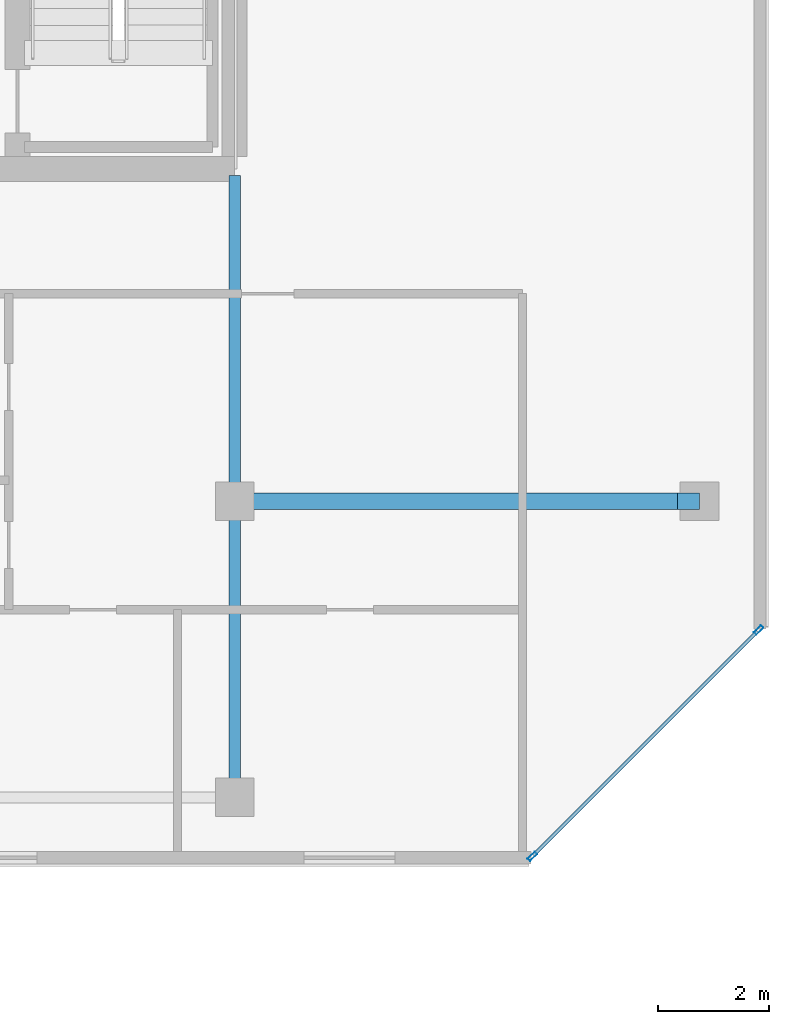
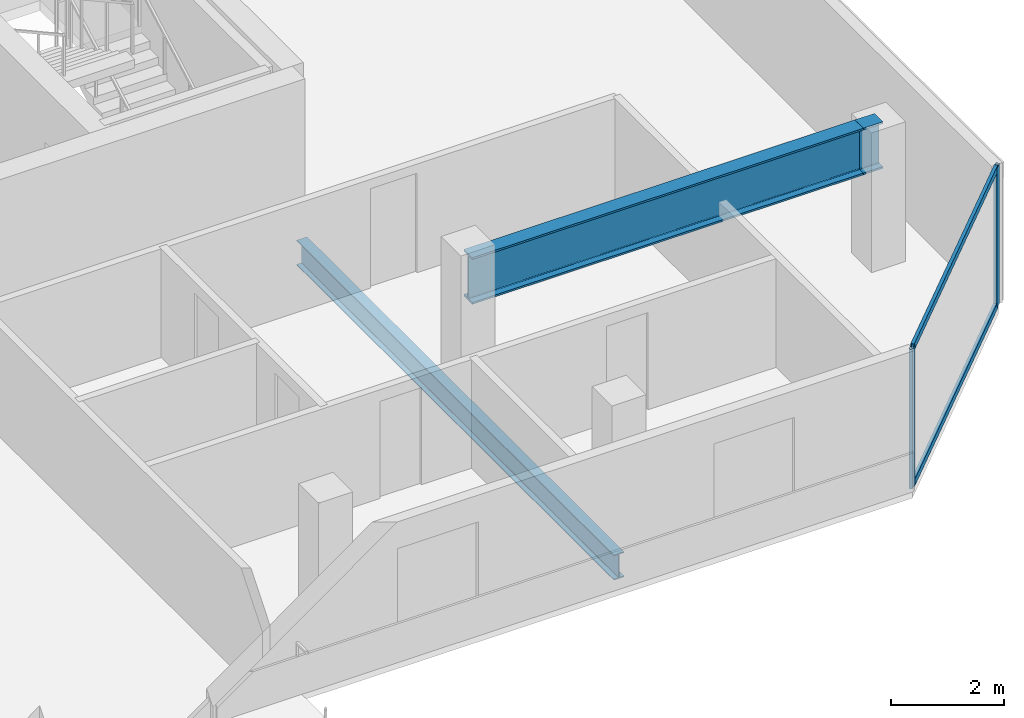
# One storey, part 10 of 24: 4 members, 3 beams, 1 element without a shape of its own.
"""IFC4 building model written with IfcOpenShell, lengths in metres."""

from ifc_helpers import new_model, si_unit, direction, frame, origin, origin_2d, place, context, subcontext, project, spatial, hollow_rectangle, i_section, extrude, material, layer, layer_set, material_profile, profile_set, type_object, element, aggregate, save


model = new_model("IFC4")

# Units and contexts
model_context = context("Model", 3, precision=1e-05, world=origin(), true_north=direction((0.0, 1.0)))
body_context = subcontext(model_context, "Body", "Model", "MODEL_VIEW")
ifc_project = project(units=[si_unit("LENGTHUNIT", "METRE"), si_unit("AREAUNIT", "SQUARE_METRE"), si_unit("VOLUMEUNIT", "CUBIC_METRE"), si_unit("PLANEANGLEUNIT", "RADIAN"), si_unit("MASSUNIT", "GRAM", prefix="KILO")], contexts=[model_context])

# Site, building, storey
site_placement = place(None, origin())
site = spatial("IfcSite", under=ifc_project, at=site_placement, CompositionType="ELEMENT")
building_placement = place(site_placement, origin())
building = spatial("IfcBuilding", under=site, at=building_placement, Name="Tanjung Sevakor Pilgrim Tower", CompositionType="ELEMENT")
storey_placement = place(building_placement, frame((0.0, 0.0, 226.050048828125)))
storey = spatial("IfcBuildingStorey", under=building, at=storey_placement, Name="L63", CompositionType="ELEMENT", Elevation=226.050048828125)

# Beams
ifc_material_1 = material(Name="Steel S355J2", Category="steel")
ifc_material_profile_1 = material_profile(ifc_material_1, i_section(OverallWidth=0.2119140625, OverallDepth=0.54443359375, WebThickness=0.0126953125, FlangeThickness=0.021240234375, FilletRadius=0.0126953125, at=origin_2d()))
ifc_profile_set_1 = profile_set([ifc_material_profile_1], Name="Steel S355J2")
beam_type_1 = type_object("IfcBeamType", Name="BM-B-G5-UB_533x210x122", PredefinedType="BEAM", material=ifc_profile_set_1)
beam_1_placement = place(storey_placement, frame((90.0, 13.25, -0.492431640625), z_axis=(0.0, 1.0, 0.0), x_axis=(-1.0, 0.0, 0.0)))
element("IfcBeam", 1, at=beam_1_placement, inside=storey, type_object=beam_type_1, Name="L63 MAIN Girder 019", PredefinedType="BEAM", context=body_context, shape_type="SweptSolid", body=[
    extrude(i_section(OverallWidth=0.2119140625, OverallDepth=0.54443359375, WebThickness=0.0126953125, FlangeThickness=0.021240234375, FilletRadius=0.0126953125, at=origin_2d()), origin(), (0.0, 0.0, 1.0), 11.235595703125),
])
ifc_material_2 = material(Name="Steel S460M", Category="steel")
ifc_material_profile_2 = material_profile(ifc_material_2, i_section(OverallWidth=0.302001953125, OverallDepth=1.008056640625, WebThickness=0.02099609375, FlangeThickness=0.0400390625, FilletRadius=0.030029296875, at=origin_2d()))
ifc_profile_set_2 = profile_set([ifc_material_profile_2], Name="Steel S460M")
beam_type_2 = type_object("IfcBeamType", Name="BM-B-G7-HE_1000M", PredefinedType="BEAM", material=ifc_profile_set_2)
beam_2_placement = place(storey_placement, frame((90.0, 18.60009765625, 2.515869140625), z_axis=(1.0, 0.0, 0.0), x_axis=(0.0, 1.0, 0.0)))
element("IfcBeam", 2, at=beam_2_placement, inside=storey, type_object=beam_type_2, Name="L63 Crown East Setback Transfer Girder Y18.6-1", PredefinedType="BEAM", context=body_context, shape_type="SweptSolid", body=[
    extrude(i_section(OverallWidth=0.302001953125, OverallDepth=1.008056640625, WebThickness=0.02099609375, FlangeThickness=0.0400390625, FilletRadius=0.030029296875, at=origin_2d()), origin(), (0.0, 0.0, 1.0), 8.0),
])
beam_3_placement = place(storey_placement, frame((98.0, 18.60009765625, 2.515869140625), z_axis=(1.0, 0.0, 0.0), x_axis=(0.0, 1.0, 0.0)))
element("IfcBeam", 3, at=beam_3_placement, inside=storey, type_object=beam_type_2, Name="L63 Crown East Setback Transfer Girder Y18.6-2", PredefinedType="BEAM", context=body_context, shape_type="SweptSolid", body=[
    extrude(i_section(OverallWidth=0.302001953125, OverallDepth=1.008056640625, WebThickness=0.02099609375, FlangeThickness=0.0400390625, FilletRadius=0.030029296875, at=origin_2d()), origin(), (0.0, 0.0, 1.0), 0.39990234375),
])

# Curtain wall, members
ifc_material_3 = material(Name="Aluminium 6063-T6 and Low-E Glass", Category="aluminium")
ifc_layer = layer(ifc_material_3, 0.179931640625)
ifc_layer_set = layer_set([ifc_layer], Name="CW-SYS-CHAM")
curtain_wall_type = type_object("IfcCurtainWallType", Name="CW-SYS-CHAM", PredefinedType="NOTDEFINED", material=ifc_layer_set)
curtain_wall_placement = place(storey_placement, origin())
curtain_wall = element("IfcCurtainWall", 4, at=curtain_wall_placement, inside=storey, type_object=curtain_wall_type, Name="L63 Curtain Wall CW-CHM-L63-MAIN-5", PredefinedType="NOTDEFINED")
ifc_material_4 = material(Name="Aluminium 6063-T6", Category="aluminium")
ifc_material_profile_3 = material_profile(ifc_material_4, hollow_rectangle(XDim=0.06494140625, YDim=0.179931640625, WallThickness=0.00390625, at=origin_2d()))
ifc_profile_set_3 = profile_set([ifc_material_profile_3], Name="Aluminium 6063-T6")
member_type_1 = type_object("IfcMemberType", Name="TYPE-CWM-1", PredefinedType="MULLION", material=ifc_profile_set_3)
member_1_placement = place(storey_placement, frame((95.37744140625, 12.182861328125, 0.0), z_axis=(0.0, 0.0, 1.0), x_axis=(-0.707106781187, 0.707106781187, 0.0)))
member_1 = element("IfcMember", 5, at=member_1_placement, type_object=member_type_1, Name="CW-CHM mullion 1", PredefinedType="MULLION", context=body_context, shape_type="SweptSolid", body=[
    extrude(hollow_rectangle(XDim=0.06494140625, YDim=0.179931640625, WallThickness=0.00390625, at=origin_2d()), origin(), (0.0, 0.0, 1.0), 3.02001953125),
])
member_2_placement = place(storey_placement, frame((99.467041015625, 16.272705078125, 0.0), z_axis=(0.0, 0.0, 1.0), x_axis=(-0.707106781187, 0.707106781187, 0.0)))
member_2 = element("IfcMember", 6, at=member_2_placement, type_object=member_type_1, Name="CW-CHM mullion 2", PredefinedType="MULLION", context=body_context, shape_type="SweptSolid", body=[
    extrude(hollow_rectangle(XDim=0.06494140625, YDim=0.179931640625, WallThickness=0.00390625, at=origin_2d()), origin(), (0.0, 0.0, 1.0), 3.02001953125),
])
ifc_material_5 = material(Name="Aluminium 6063-T6", Category="aluminium")
ifc_material_profile_4 = material_profile(ifc_material_5, hollow_rectangle(XDim=0.06494140625, YDim=0.139892578125, WallThickness=0.00390625, at=origin_2d()))
ifc_profile_set_4 = profile_set([ifc_material_profile_4], Name="Aluminium 6063-T6")
member_type_2 = type_object("IfcMemberType", Name="TYPE-CWT-1", PredefinedType="USERDEFINED", material=ifc_profile_set_4)
member_3_placement = place(storey_placement, frame((95.400390625, 12.2060546875, 0.032470703125), z_axis=(0.707106781187, 0.707106781187, 0.0), x_axis=(-0.707106781187, 0.707106781187, 0.0)))
member_3 = element("IfcMember", 7, at=member_3_placement, type_object=member_type_2, Name="CW-CHM transom 1.1", ObjectType="TRANSOM", PredefinedType="USERDEFINED", context=body_context, shape_type="SweptSolid", body=[
    extrude(hollow_rectangle(XDim=0.06494140625, YDim=0.139892578125, WallThickness=0.00390625, at=origin_2d()), origin(), (0.0, 0.0, 1.0), 5.71875),
])
member_4_placement = place(storey_placement, frame((95.400390625, 12.2060546875, 2.987548828125), z_axis=(0.707106781187, 0.707106781187, 0.0), x_axis=(-0.707106781187, 0.707106781187, 0.0)))
member_4 = element("IfcMember", 8, at=member_4_placement, type_object=member_type_2, Name="CW-CHM transom 1.2", ObjectType="TRANSOM", PredefinedType="USERDEFINED", context=body_context, shape_type="SweptSolid", body=[
    extrude(hollow_rectangle(XDim=0.06494140625, YDim=0.139892578125, WallThickness=0.00390625, at=origin_2d()), origin(), (0.0, 0.0, 1.0), 5.71875),
])
aggregate(curtain_wall, [member_1, member_2, member_3, member_4])

save(model, "model.ifc")
